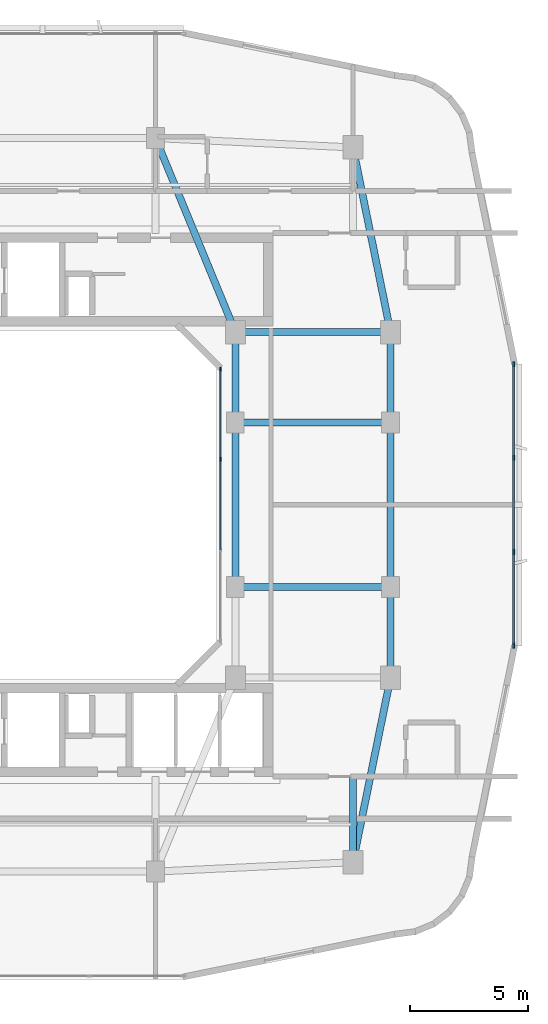
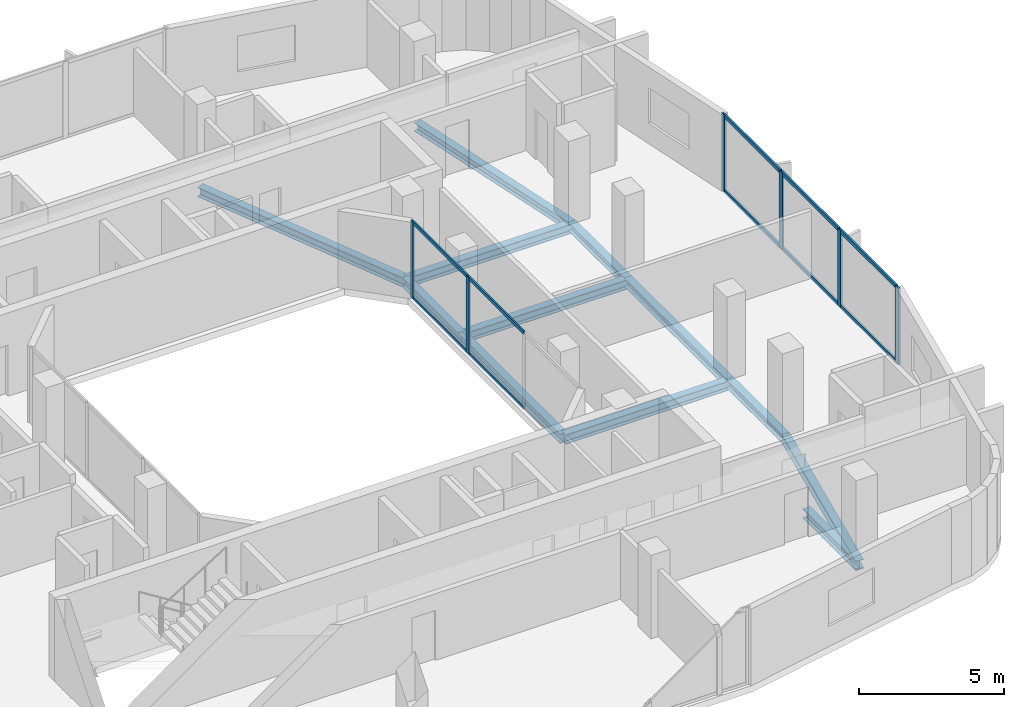
# One storey, part 4 of 14: 16 members, 12 beams, 2 elements without a shape of their own.
"""IFC4 building model written with IfcOpenShell, lengths in metres."""

from ifc_helpers import new_model, si_unit, derived_unit, direction, frame, origin, origin_2d, place, context, subcontext, project, spatial, rectangle, i_section, extrude, material, layer, layer_set, material_profile, profile_set, type_object, element, aggregate, save


model = new_model("IFC4")

# Units and contexts
model_context = context("Model", 3, precision=1e-05, world=origin(), true_north=direction((0.0, 1.0)))
body_context = subcontext(model_context, "Body", "Model", "MODEL_VIEW")
ifc_project = project(units=[si_unit("LENGTHUNIT", "METRE"), si_unit("AREAUNIT", "SQUARE_METRE"), si_unit("VOLUMEUNIT", "CUBIC_METRE"), si_unit("PLANEANGLEUNIT", "RADIAN"), si_unit("MASSUNIT", "GRAM", prefix="KILO"), derived_unit("THERMALTRANSMITTANCEUNIT", [(si_unit("POWERUNIT", "WATT"), 1), (si_unit("LENGTHUNIT", "METRE"), -2), (si_unit("THERMODYNAMICTEMPERATUREUNIT", "KELVIN"), -1)])], contexts=[model_context])

# Site, building, storey
site_placement = place(None, origin())
site = spatial("IfcSite", under=ifc_project, at=site_placement, CompositionType="ELEMENT")
building_placement = place(site_placement, origin())
building = spatial("IfcBuilding", under=site, at=building_placement, Name="Kivonza Crest Hotel", CompositionType="ELEMENT")
storey_placement = place(building_placement, frame((0.0, 0.0, 152.0)))
storey = spatial("IfcBuildingStorey", under=building, at=storey_placement, Name="L41", CompositionType="ELEMENT", Elevation=152.0)

# Beams
ifc_material_1 = material(Name="Steel S355", Category="steel")
ifc_material_profile_1 = material_profile(ifc_material_1, i_section(OverallWidth=0.300048828125, OverallDepth=0.360107421875, WebThickness=0.012451171875, FlangeThickness=0.0224609375, FilletRadius=0.027099609375, at=origin_2d()), Name="HEB 360")
ifc_profile_set_1 = profile_set([ifc_material_profile_1], Name="Steel S355")
beam_type_1 = type_object("IfcBeamType", Name="BM-HEB360", PredefinedType="SPANDREL", material=ifc_profile_set_1)
beam_1_placement = place(storey_placement, frame((34.199951171875, 9.800048828125, -0.4599609375), z_axis=(0.199730733965, 0.979850822273, 0.0), x_axis=(-0.979850822273, 0.199730733965, 0.0)))
element("IfcBeam", 1, at=beam_1_placement, inside=storey, type_object=beam_type_1, Name="Tower T1 L41 perimeter spandrel SE-PSE", PredefinedType="SPANDREL", context=body_context, shape_type="SweptSolid", body=[
    extrude(i_section(OverallWidth=0.300048828125, OverallDepth=0.360107421875, WebThickness=0.012451171875, FlangeThickness=0.0224609375, FilletRadius=0.027099609375, at=origin_2d()), origin(), (0.0, 0.0, 1.0), 8.01123046875),
])
beam_2_placement = place(storey_placement, frame((35.800048828125, 17.64990234375, -0.4599609375), z_axis=(0.0, 1.0, 0.0), x_axis=(-1.0, 0.0, 0.0)))
element("IfcBeam", 2, at=beam_2_placement, inside=storey, type_object=beam_type_1, Name="Tower T1 L41 perimeter spandrel PSE-E1", PredefinedType="SPANDREL", context=body_context, shape_type="SweptSolid", body=[
    extrude(i_section(OverallWidth=0.300048828125, OverallDepth=0.360107421875, WebThickness=0.012451171875, FlangeThickness=0.0224609375, FilletRadius=0.027099609375, at=origin_2d()), origin(), (0.0, 0.0, 1.0), 3.85009765625),
])
beam_3_placement = place(storey_placement, frame((35.800048828125, 21.5, -0.4599609375), z_axis=(0.0, 1.0, 0.0), x_axis=(-1.0, 0.0, 0.0)))
element("IfcBeam", 3, at=beam_3_placement, inside=storey, type_object=beam_type_1, Name="Tower T1 L41 perimeter spandrel E1-E2", PredefinedType="SPANDREL", context=body_context, shape_type="SweptSolid", body=[
    extrude(i_section(OverallWidth=0.300048828125, OverallDepth=0.360107421875, WebThickness=0.012451171875, FlangeThickness=0.0224609375, FilletRadius=0.027099609375, at=origin_2d()), origin(), (0.0, 0.0, 1.0), 7.0),
])
beam_4_placement = place(storey_placement, frame((35.800048828125, 28.5, -0.4599609375), z_axis=(0.0, 1.0, 0.0), x_axis=(-1.0, 0.0, 0.0)))
element("IfcBeam", 4, at=beam_4_placement, inside=storey, type_object=beam_type_1, Name="Tower T1 L41 perimeter spandrel E2-PNE", PredefinedType="SPANDREL", context=body_context, shape_type="SweptSolid", body=[
    extrude(i_section(OverallWidth=0.300048828125, OverallDepth=0.360107421875, WebThickness=0.012451171875, FlangeThickness=0.0224609375, FilletRadius=0.027099609375, at=origin_2d()), origin(), (0.0, 0.0, 1.0), 3.85009765625),
])
beam_5_placement = place(storey_placement, frame((35.800048828125, 32.35009765625, -0.4599609375), z_axis=(-0.199730733965, 0.979850822273, 0.0), x_axis=(-0.979850822273, -0.199730733965, 0.0)))
element("IfcBeam", 5, at=beam_5_placement, inside=storey, type_object=beam_type_1, Name="Tower T1 L41 perimeter spandrel PNE-NE", PredefinedType="SPANDREL", context=body_context, shape_type="SweptSolid", body=[
    extrude(i_section(OverallWidth=0.300048828125, OverallDepth=0.360107421875, WebThickness=0.012451171875, FlangeThickness=0.0224609375, FilletRadius=0.027099609375, at=origin_2d()), origin(), (0.0, 0.0, 1.0), 8.01123046875),
])
ifc_material_profile_2 = material_profile(ifc_material_1, i_section(OverallWidth=0.300048828125, OverallDepth=0.39990234375, WebThickness=0.013427734375, FlangeThickness=0.02392578125, FilletRadius=0.027099609375, at=origin_2d()), Name="HEB 400")
ifc_profile_set_2 = profile_set([ifc_material_profile_2], Name="Steel S355")
beam_type_2 = type_object("IfcBeamType", Name="BM-HEB400", PredefinedType="BEAM", material=ifc_profile_set_2)
beam_6_placement = place(storey_placement, frame((25.800048828125, 40.60009765625, -0.47998046875), z_axis=(0.381022260404, -0.924565864109, 0.0), x_axis=(0.924565864109, 0.381022260404, 0.0)))
element("IfcBeam", 6, at=beam_6_placement, inside=storey, type_object=beam_type_2, Name="Tower T1 L41 primary girder N1-TNE", PredefinedType="BEAM", context=body_context, shape_type="SweptSolid", body=[
    extrude(i_section(OverallWidth=0.300048828125, OverallDepth=0.39990234375, WebThickness=0.013427734375, FlangeThickness=0.02392578125, FilletRadius=0.027099609375, at=origin_2d()), origin(), (0.0, 0.0, 1.0), 8.923095703125),
])
beam_7_placement = place(storey_placement, frame((29.199951171875, 32.35009765625, -0.47998046875), z_axis=(1.0, 0.0, 0.0), x_axis=(0.0, 1.0, 0.0)))
element("IfcBeam", 7, at=beam_7_placement, inside=storey, type_object=beam_type_2, Name="Tower T1 L41 primary girder TNE-PNE", PredefinedType="BEAM", context=body_context, shape_type="SweptSolid", body=[
    extrude(i_section(OverallWidth=0.300048828125, OverallDepth=0.39990234375, WebThickness=0.013427734375, FlangeThickness=0.02392578125, FilletRadius=0.027099609375, at=origin_2d()), origin(), (0.0, 0.0, 1.0), 6.60009765625),
])
beam_8_placement = place(storey_placement, frame((29.199951171875, 21.5, -0.47998046875), z_axis=(0.0, 1.0, 0.0), x_axis=(-1.0, 0.0, 0.0)))
element("IfcBeam", 8, at=beam_8_placement, inside=storey, type_object=beam_type_2, Name="Tower T1 L41 primary girder WR1-WR2", PredefinedType="BEAM", context=body_context, shape_type="SweptSolid", body=[
    extrude(i_section(OverallWidth=0.300048828125, OverallDepth=0.39990234375, WebThickness=0.013427734375, FlangeThickness=0.02392578125, FilletRadius=0.027099609375, at=origin_2d()), origin(), (0.0, 0.0, 1.0), 7.0),
])
beam_9_placement = place(storey_placement, frame((29.199951171875, 28.5, -0.47998046875), z_axis=(0.0, 1.0, 0.0), x_axis=(-1.0, 0.0, 0.0)))
element("IfcBeam", 9, at=beam_9_placement, inside=storey, type_object=beam_type_2, Name="Tower T1 L41 primary girder WR2-TNE", PredefinedType="BEAM", context=body_context, shape_type="SweptSolid", body=[
    extrude(i_section(OverallWidth=0.300048828125, OverallDepth=0.39990234375, WebThickness=0.013427734375, FlangeThickness=0.02392578125, FilletRadius=0.027099609375, at=origin_2d()), origin(), (0.0, 0.0, 1.0), 3.85009765625),
])
for number, where, z_axis, x_axis, name in (
    (10, (29.199951171875, 21.5, -0.47998046875), (1.0, 0.0, 0.0), (0.0, 1.0, 0.0), "Tower T1 L41 primary girder WR1-E1"),
    (11, (29.199951171875, 28.5, -0.47998046875), (1.0, 0.0, 0.0), (0.0, 1.0, 0.0), "Tower T1 L41 primary girder WR2-E2"),
):
    element("IfcBeam", number, at=place(storey_placement, frame(where, z_axis=z_axis, x_axis=x_axis)), inside=storey, type_object=beam_type_2, Name=name, PredefinedType="BEAM", context=body_context, shape_type="SweptSolid", body=[
        extrude(i_section(OverallWidth=0.300048828125, OverallDepth=0.39990234375, WebThickness=0.013427734375, FlangeThickness=0.02392578125, FilletRadius=0.027099609375, at=origin_2d()), origin(), (0.0, 0.0, 1.0), 6.60009765625),
    ])
beam_10_placement = place(storey_placement, frame((34.199951171875, 9.800048828125, -0.47998046875), z_axis=(0.0, 1.0, 0.0), x_axis=(-1.0, 0.0, 0.0)))
element("IfcBeam", 12, at=beam_10_placement, inside=storey, type_object=beam_type_2, Name="Tower T1 L41 radial core girder RSE", PredefinedType="BEAM", context=body_context, shape_type="SweptSolid", body=[
    extrude(i_section(OverallWidth=0.300048828125, OverallDepth=0.39990234375, WebThickness=0.013427734375, FlangeThickness=0.02392578125, FilletRadius=0.027099609375, at=origin_2d()), origin(), (0.0, 0.0, 1.0), 3.64990234375),
])

# Curtain wall, members
ifc_material_2 = material(Name="Anodised bronze aluminium and low-E double glazing", Category="aluminium")
ifc_layer_1 = layer(ifc_material_2, 0.159912109375)
ifc_layer_set_1 = layer_set([ifc_layer_1], Name="Anodised bronze aluminium and low-E double glazing")
curtain_wall_type_1 = type_object("IfcCurtainWallType", Name="CW-SYS-5", PredefinedType="NOTDEFINED", material=ifc_layer_set_1)
curtain_wall_1_placement = place(storey_placement, origin())
curtain_wall_1 = element("IfcCurtainWall", 13, at=curtain_wall_1_placement, inside=storey, type_object=curtain_wall_type_1, Name="L41 unitised curtain wall CW-WELL-T1-L41-3", PredefinedType="NOTDEFINED")
ifc_material_3 = material(Name="Anodised bronze aluminium", Category="aluminium")
ifc_material_profile_3 = material_profile(ifc_material_3, rectangle(XDim=0.06494140625, YDim=0.179931640625, at=origin_2d()), Name="CW-M 65x180")
ifc_profile_set_3 = profile_set([ifc_material_profile_3], Name="Anodised bronze aluminium")
member_type_1 = type_object("IfcMemberType", Name="CW-MUL-65x180", PredefinedType="MULLION", material=ifc_profile_set_3)
member_1_placement = place(storey_placement, frame((28.56005859375, 26.933349609375, 0.0), z_axis=(0.0, 0.0, 1.0), x_axis=(-1.0, 0.0, 0.0)))
member_1 = element("IfcMember", 14, at=member_1_placement, type_object=member_type_1, Name="CW-5 mullion 3", PredefinedType="MULLION", context=body_context, shape_type="SweptSolid", body=[
    extrude(rectangle(XDim=0.06494140625, YDim=0.179931640625, at=origin_2d()), origin(), (0.0, 0.0, 1.0), 3.219970703125),
])
member_2_placement = place(storey_placement, frame((28.56005859375, 30.767578125, 0.0), z_axis=(0.0, 0.0, 1.0), x_axis=(-1.0, 0.0, 0.0)))
member_2 = element("IfcMember", 15, at=member_2_placement, type_object=member_type_1, Name="CW-5 mullion 4", PredefinedType="MULLION", context=body_context, shape_type="SweptSolid", body=[
    extrude(rectangle(XDim=0.06494140625, YDim=0.179931640625, at=origin_2d()), origin(), (0.0, 0.0, 1.0), 3.219970703125),
])

ifc_layer_2 = layer(ifc_material_2, 0.179931640625)
ifc_layer_set_2 = layer_set([ifc_layer_2], Name="Anodised bronze aluminium and low-E double glazing")
curtain_wall_type_2 = type_object("IfcCurtainWallType", Name="CW-SYS-3", PredefinedType="NOTDEFINED", material=ifc_layer_set_2)
curtain_wall_2_placement = place(storey_placement, origin())
curtain_wall_2 = element("IfcCurtainWall", 16, at=curtain_wall_2_placement, inside=storey, type_object=curtain_wall_type_2, Name="L41 unitised curtain wall CW-T1-L41-17", PredefinedType="NOTDEFINED")
ifc_material_profile_4 = material_profile(ifc_material_3, rectangle(XDim=0.074951171875, YDim=0.219970703125, at=origin_2d()), Name="CW-M 75x220")
ifc_profile_set_4 = profile_set([ifc_material_profile_4], Name="Anodised bronze aluminium")
member_type_2 = type_object("IfcMemberType", Name="CW-MUL-75x220", PredefinedType="MULLION", material=ifc_profile_set_4)
member_3_placement = place(storey_placement, frame((41.0400390625, 19.017578125, 0.0), z_axis=(0.0, 0.0, 1.0), x_axis=(-1.0, 0.0, 0.0)))
member_3 = element("IfcMember", 17, at=member_3_placement, type_object=member_type_2, Name="CW-3 mullion 1", PredefinedType="MULLION", context=body_context, shape_type="SweptSolid", body=[
    extrude(rectangle(XDim=0.074951171875, YDim=0.219970703125, at=origin_2d()), origin(), (0.0, 0.0, 1.0), 3.219970703125),
])
member_4_placement = place(storey_placement, frame((41.0400390625, 22.993408203125, 0.0), z_axis=(0.0, 0.0, 1.0), x_axis=(-1.0, 0.0, 0.0)))
member_4 = element("IfcMember", 18, at=member_4_placement, type_object=member_type_2, Name="CW-3 mullion 2", PredefinedType="MULLION", context=body_context, shape_type="SweptSolid", body=[
    extrude(rectangle(XDim=0.074951171875, YDim=0.219970703125, at=origin_2d()), origin(), (0.0, 0.0, 1.0), 3.219970703125),
])
member_5_placement = place(storey_placement, frame((41.0400390625, 27.006591796875, 0.0), z_axis=(0.0, 0.0, 1.0), x_axis=(-1.0, 0.0, 0.0)))
member_5 = element("IfcMember", 19, at=member_5_placement, type_object=member_type_2, Name="CW-3 mullion 3", PredefinedType="MULLION", context=body_context, shape_type="SweptSolid", body=[
    extrude(rectangle(XDim=0.074951171875, YDim=0.219970703125, at=origin_2d()), origin(), (0.0, 0.0, 1.0), 3.219970703125),
])
member_6_placement = place(storey_placement, frame((41.0400390625, 30.982421875, 0.0), z_axis=(0.0, 0.0, 1.0), x_axis=(-1.0, 0.0, 0.0)))
member_6 = element("IfcMember", 20, at=member_6_placement, type_object=member_type_2, Name="CW-3 mullion 4", PredefinedType="MULLION", context=body_context, shape_type="SweptSolid", body=[
    extrude(rectangle(XDim=0.074951171875, YDim=0.219970703125, at=origin_2d()), origin(), (0.0, 0.0, 1.0), 3.219970703125),
])

# Member
ifc_material_profile_5 = material_profile(ifc_material_3, rectangle(XDim=0.06494140625, YDim=0.139892578125, at=origin_2d()), Name="CW-T 65x140")
ifc_profile_set_5 = profile_set([ifc_material_profile_5], Name="Anodised bronze aluminium")
member_type_3 = type_object("IfcMemberType", Name="CW-TRN-65x140", PredefinedType="USERDEFINED", material=ifc_profile_set_5)
member_7_placement = place(storey_placement, frame((28.56005859375, 23.09912109375, 0.032470703125), z_axis=(0.0, 1.0, 0.0), x_axis=(-1.0, 0.0, 0.0)))
member_7 = element("IfcMember", 21, at=member_7_placement, type_object=member_type_3, Name="CW-5 transom 2.1", ObjectType="TRANSOM", PredefinedType="USERDEFINED", context=body_context, shape_type="SweptSolid", body=[
    extrude(rectangle(XDim=0.06494140625, YDim=0.139892578125, at=origin_2d()), origin(), (0.0, 0.0, 1.0), 3.8017578125),
])

member_8_placement = place(storey_placement, frame((28.56005859375, 23.09912109375, 3.1875), z_axis=(0.0, 1.0, 0.0), x_axis=(-1.0, 0.0, 0.0)))
member_8 = element("IfcMember", 22, at=member_8_placement, type_object=member_type_3, Name="CW-5 transom 2.2", ObjectType="TRANSOM", PredefinedType="USERDEFINED", context=body_context, shape_type="SweptSolid", body=[
    extrude(rectangle(XDim=0.06494140625, YDim=0.139892578125, at=origin_2d()), origin(), (0.0, 0.0, 1.0), 3.8017578125),
])

member_9_placement = place(storey_placement, frame((28.56005859375, 26.9658203125, 0.032470703125), z_axis=(0.0, 1.0, 0.0), x_axis=(-1.0, 0.0, 0.0)))
member_9 = element("IfcMember", 23, at=member_9_placement, type_object=member_type_3, Name="CW-5 transom 3.1", ObjectType="TRANSOM", PredefinedType="USERDEFINED", context=body_context, shape_type="SweptSolid", body=[
    extrude(rectangle(XDim=0.06494140625, YDim=0.139892578125, at=origin_2d()), origin(), (0.0, 0.0, 1.0), 3.769287109375),
])

member_10_placement = place(storey_placement, frame((28.56005859375, 26.9658203125, 3.1875), z_axis=(0.0, 1.0, 0.0), x_axis=(-1.0, 0.0, 0.0)))
member_10 = element("IfcMember", 24, at=member_10_placement, type_object=member_type_3, Name="CW-5 transom 3.2", ObjectType="TRANSOM", PredefinedType="USERDEFINED", context=body_context, shape_type="SweptSolid", body=[
    extrude(rectangle(XDim=0.06494140625, YDim=0.139892578125, at=origin_2d()), origin(), (0.0, 0.0, 1.0), 3.769287109375),
])

aggregate(curtain_wall_1, [member_1, member_2, member_7, member_8, member_9, member_10])

ifc_material_profile_6 = material_profile(ifc_material_3, rectangle(XDim=0.074951171875, YDim=0.159912109375, at=origin_2d()), Name="CW-T 75x160")
ifc_profile_set_6 = profile_set([ifc_material_profile_6], Name="Anodised bronze aluminium")
member_type_4 = type_object("IfcMemberType", Name="CW-TRN-75x160", PredefinedType="USERDEFINED", material=ifc_profile_set_6)
member_11_placement = place(storey_placement, frame((41.0400390625, 19.054931640625, 0.03759765625), z_axis=(0.0, 1.0, 0.0), x_axis=(-1.0, 0.0, 0.0)))
member_11 = element("IfcMember", 25, at=member_11_placement, type_object=member_type_4, Name="CW-3 transom 1.1", ObjectType="TRANSOM", PredefinedType="USERDEFINED", context=body_context, shape_type="SweptSolid", body=[
    extrude(rectangle(XDim=0.074951171875, YDim=0.159912109375, at=origin_2d()), origin(), (0.0, 0.0, 1.0), 3.90087890625),
])

member_12_placement = place(storey_placement, frame((41.0400390625, 19.054931640625, 3.1826171875), z_axis=(0.0, 1.0, 0.0), x_axis=(-1.0, 0.0, 0.0)))
member_12 = element("IfcMember", 26, at=member_12_placement, type_object=member_type_4, Name="CW-3 transom 1.2", ObjectType="TRANSOM", PredefinedType="USERDEFINED", context=body_context, shape_type="SweptSolid", body=[
    extrude(rectangle(XDim=0.074951171875, YDim=0.159912109375, at=origin_2d()), origin(), (0.0, 0.0, 1.0), 3.90087890625),
])

member_13_placement = place(storey_placement, frame((41.0400390625, 23.03076171875, 0.03759765625), z_axis=(0.0, 1.0, 0.0), x_axis=(-1.0, 0.0, 0.0)))
member_13 = element("IfcMember", 27, at=member_13_placement, type_object=member_type_4, Name="CW-3 transom 2.1", ObjectType="TRANSOM", PredefinedType="USERDEFINED", context=body_context, shape_type="SweptSolid", body=[
    extrude(rectangle(XDim=0.074951171875, YDim=0.159912109375, at=origin_2d()), origin(), (0.0, 0.0, 1.0), 3.9384765625),
])

member_14_placement = place(storey_placement, frame((41.0400390625, 23.03076171875, 3.1826171875), z_axis=(0.0, 1.0, 0.0), x_axis=(-1.0, 0.0, 0.0)))
member_14 = element("IfcMember", 28, at=member_14_placement, type_object=member_type_4, Name="CW-3 transom 2.2", ObjectType="TRANSOM", PredefinedType="USERDEFINED", context=body_context, shape_type="SweptSolid", body=[
    extrude(rectangle(XDim=0.074951171875, YDim=0.159912109375, at=origin_2d()), origin(), (0.0, 0.0, 1.0), 3.9384765625),
])

member_15_placement = place(storey_placement, frame((41.0400390625, 27.044189453125, 0.03759765625), z_axis=(0.0, 1.0, 0.0), x_axis=(-1.0, 0.0, 0.0)))
member_15 = element("IfcMember", 29, at=member_15_placement, type_object=member_type_4, Name="CW-3 transom 3.1", ObjectType="TRANSOM", PredefinedType="USERDEFINED", context=body_context, shape_type="SweptSolid", body=[
    extrude(rectangle(XDim=0.074951171875, YDim=0.159912109375, at=origin_2d()), origin(), (0.0, 0.0, 1.0), 3.90087890625),
])

member_16_placement = place(storey_placement, frame((41.0400390625, 27.044189453125, 3.1826171875), z_axis=(0.0, 1.0, 0.0), x_axis=(-1.0, 0.0, 0.0)))
member_16 = element("IfcMember", 30, at=member_16_placement, type_object=member_type_4, Name="CW-3 transom 3.2", ObjectType="TRANSOM", PredefinedType="USERDEFINED", context=body_context, shape_type="SweptSolid", body=[
    extrude(rectangle(XDim=0.074951171875, YDim=0.159912109375, at=origin_2d()), origin(), (0.0, 0.0, 1.0), 3.90087890625),
])

aggregate(curtain_wall_2, [member_3, member_4, member_5, member_6, member_11, member_12, member_13, member_14, member_15, member_16])

save(model, "model.ifc")
